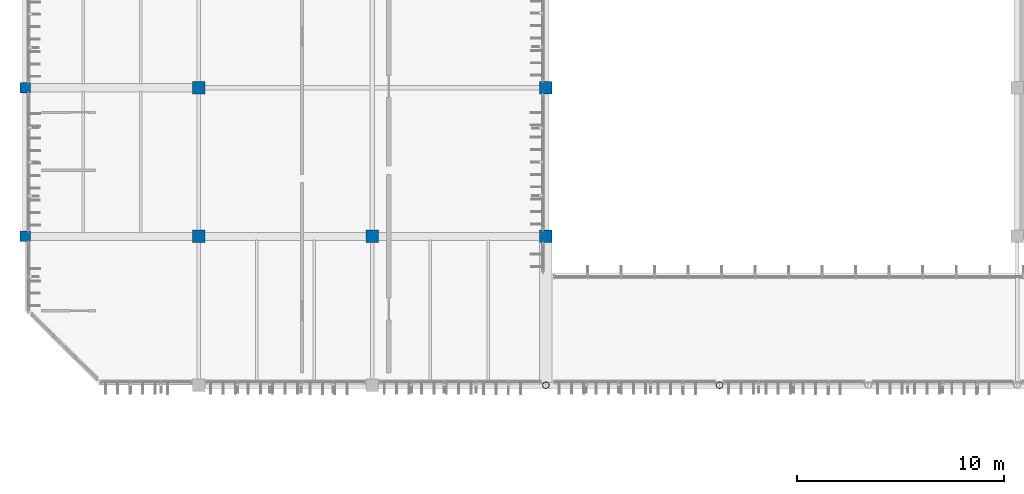
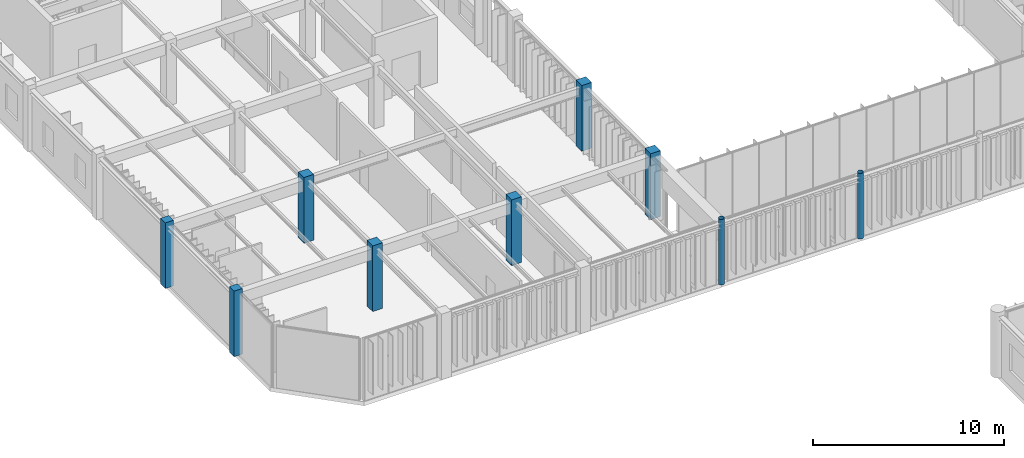
# One storey, part 2 of 122: 9 columns.
"""IFC4 building model written with IfcOpenShell, lengths in metres."""

from ifc_helpers import new_model, si_unit, direction, frame, origin, origin_2d, place, context, subcontext, project, spatial, rectangle, hollow_circle, extrude, material, material_profile, profile_set, type_object, element, save


model = new_model("IFC4")

# Units and contexts
model_context = context("Model", 3, precision=1e-05, world=origin(), true_north=direction((0.0, 1.0)))
body_context = subcontext(model_context, "Body", "Model", "MODEL_VIEW")
ifc_project = project(units=[si_unit("LENGTHUNIT", "METRE"), si_unit("AREAUNIT", "SQUARE_METRE"), si_unit("VOLUMEUNIT", "CUBIC_METRE"), si_unit("PLANEANGLEUNIT", "RADIAN"), si_unit("MASSUNIT", "GRAM", prefix="KILO")], contexts=[model_context])

# Site, building, storey
site_placement = place(None, origin())
site = spatial("IfcSite", under=ifc_project, at=site_placement, CompositionType="ELEMENT")
building_placement = place(site_placement, origin())
building = spatial("IfcBuilding", under=site, at=building_placement, Name="Tazoul Stagehouse", CompositionType="ELEMENT")
storey_placement = place(building_placement, frame((0.0, 0.0, 4.800048828125)))
storey = spatial("IfcBuildingStorey", under=building, at=storey_placement, Name="L01", CompositionType="ELEMENT", Elevation=4.800048828125)

# Columns
ifc_material_1 = material(Name="Concrete C40/50", Category="concrete")
ifc_material_profile_1 = material_profile(ifc_material_1, rectangle(XDim=0.5, YDim=0.5, at=origin_2d()), Name="RC 500x500")
ifc_profile_set_1 = profile_set([ifc_material_profile_1], Name="Concrete C40/50")
column_type_1 = type_object("IfcColumnType", Name="RC Column 500x500 (Exterior)", PredefinedType="COLUMN", material=ifc_profile_set_1)
for number, where, z_axis, x_axis, name in (
    (1, (2.39990234375, 51.800048828125, 0.0), (0.0, 0.0, 1.0), (1.0, 0.0, 0.0), "L01 Column C-02E at 1/H"),
    (2, (2.39990234375, 59.0, 0.0), (0.0, 0.0, 1.0), (1.0, 0.0, 0.0), "L01 Column C-02E at 1/J"),
):
    element("IfcColumn", number, at=place(storey_placement, frame(where, z_axis=z_axis, x_axis=x_axis)), inside=storey, type_object=column_type_1, Name=name, PredefinedType="COLUMN", context=body_context, shape_type="SweptSolid", body=[
        extrude(rectangle(XDim=0.5, YDim=0.5, at=origin_2d()), origin(), (0.0, 0.0, 1.0), 4.199951171875),
    ])
ifc_material_profile_2 = material_profile(ifc_material_1, rectangle(XDim=0.60009765625, YDim=0.60009765625, at=origin_2d()), Name="RC 600x600")
ifc_profile_set_2 = profile_set([ifc_material_profile_2], Name="Concrete C40/50")
column_type_2 = type_object("IfcColumnType", Name="RC Column 600x600", PredefinedType="COLUMN", material=ifc_profile_set_2)
for number, where, z_axis, x_axis, name in (
    (3, (10.800048828125, 51.800048828125, 0.0), (0.0, 0.0, 1.0), (1.0, 0.0, 0.0), "L01 Column C-03 at 2/H"),
    (4, (10.800048828125, 59.0, 0.0), (0.0, 0.0, 1.0), (1.0, 0.0, 0.0), "L01 Column C-03 at 2/J"),
    (5, (19.199951171875, 51.800048828125, 0.0), (0.0, 0.0, 1.0), (1.0, 0.0, 0.0), "L01 Column C-03 at 3/H"),
):
    element("IfcColumn", number, at=place(storey_placement, frame(where, z_axis=z_axis, x_axis=x_axis)), inside=storey, type_object=column_type_2, Name=name, PredefinedType="COLUMN", context=body_context, shape_type="SweptSolid", body=[
        extrude(rectangle(XDim=0.60009765625, YDim=0.60009765625, at=origin_2d()), origin(), (0.0, 0.0, 1.0), 4.199951171875),
    ])
ifc_material_profile_3 = material_profile(ifc_material_1, rectangle(XDim=0.60009765625, YDim=0.60009765625, at=origin_2d()), Name="RC 600x600")
ifc_profile_set_3 = profile_set([ifc_material_profile_3], Name="Concrete C40/50")
column_type_3 = type_object("IfcColumnType", Name="RC Column 600x600 (Exterior)", PredefinedType="COLUMN", material=ifc_profile_set_3)
for number, where, z_axis, x_axis, name in (
    (6, (27.60009765625, 51.800048828125, 0.0), (0.0, 0.0, 1.0), (1.0, 0.0, 0.0), "L01 Column C-03E at 4/H"),
    (7, (27.60009765625, 59.0, 0.0), (0.0, 0.0, 1.0), (1.0, 0.0, 0.0), "L01 Column C-03E at 4/J"),
):
    element("IfcColumn", number, at=place(storey_placement, frame(where, z_axis=z_axis, x_axis=x_axis)), inside=storey, type_object=column_type_3, Name=name, PredefinedType="COLUMN", context=body_context, shape_type="SweptSolid", body=[
        extrude(rectangle(XDim=0.60009765625, YDim=0.60009765625, at=origin_2d()), origin(), (0.0, 0.0, 1.0), 4.199951171875),
    ])
ifc_material_2 = material(Name="Steel S355", Category="steel")
ifc_material_profile_4 = material_profile(ifc_material_2, hollow_circle(Radius=0.161865234375, WallThickness=0.012451171875, at=origin_2d()), Name="CHS 323.9x12.5")
ifc_profile_set_4 = profile_set([ifc_material_profile_4], Name="Steel S355")
column_type_4 = type_object("IfcColumnType", Name="Steel Arcade Column CHS 323.9x12.5 (Exterior)", PredefinedType="COLUMN", material=ifc_profile_set_4)
for number, where, z_axis, x_axis, name in (
    (8, (27.60009765625, 44.60009765625, 0.0), (0.0, 0.0, 1.0), (1.0, 0.0, 0.0), "L01 Column SC-07E at 4/G"),
    (9, (36.0, 44.60009765625, 0.0), (0.0, 0.0, 1.0), (1.0, 0.0, 0.0), "L01 Column SC-07E at 5/G"),
):
    element("IfcColumn", number, at=place(storey_placement, frame(where, z_axis=z_axis, x_axis=x_axis)), inside=storey, type_object=column_type_4, Name=name, PredefinedType="COLUMN", context=body_context, shape_type="SweptSolid", body=[
        extrude(hollow_circle(Radius=0.161865234375, WallThickness=0.012451171875, at=origin_2d()), origin(), (0.0, 0.0, 1.0), 4.199951171875),
    ])

save(model, "model.ifc")
